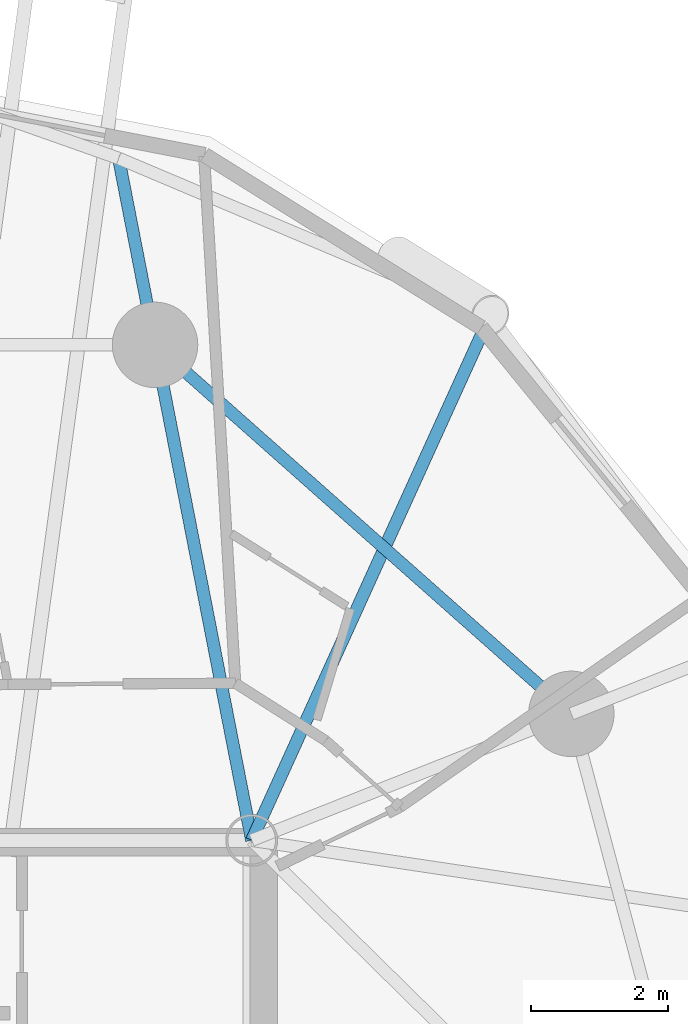
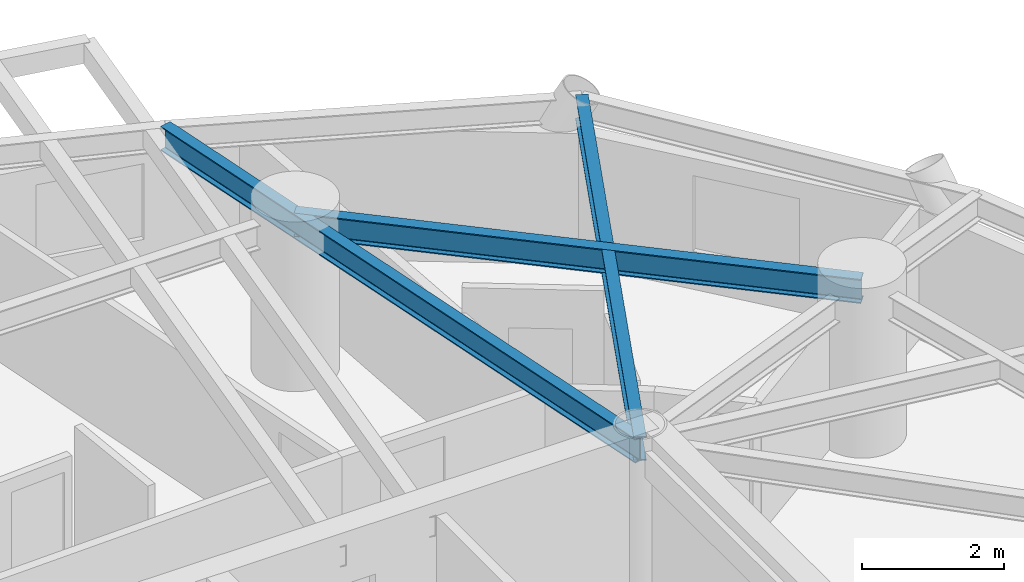
# One storey, part 4 of 18: 3 beams.
"""IFC4 building model written with IfcOpenShell, lengths in metres."""

from ifc_helpers import new_model, si_unit, direction, frame, origin, origin_2d, place, context, subcontext, project, spatial, i_section, extrude, material, material_profile, profile_set, type_object, element, save


model = new_model("IFC4")

# Units and contexts
model_context = context("Model", 3, precision=1e-05, world=origin(), true_north=direction((0.0, 1.0)))
body_context = subcontext(model_context, "Body", "Model", "MODEL_VIEW")
ifc_project = project(units=[si_unit("LENGTHUNIT", "METRE"), si_unit("AREAUNIT", "SQUARE_METRE"), si_unit("VOLUMEUNIT", "CUBIC_METRE"), si_unit("PLANEANGLEUNIT", "RADIAN"), si_unit("MASSUNIT", "GRAM", prefix="KILO")], contexts=[model_context])

# Site, building, storey
site_placement = place(None, origin())
site = spatial("IfcSite", under=ifc_project, at=site_placement, CompositionType="ELEMENT")
building_placement = place(site_placement, origin())
building = spatial("IfcBuilding", under=site, at=building_placement, Name="Cununo Teusaquillo Station Towers", CompositionType="ELEMENT")
storey_placement = place(building_placement, frame((0.0, 0.0, 157.419921875)))
storey = spatial("IfcBuildingStorey", under=building, at=storey_placement, Name="L49", CompositionType="ELEMENT", Elevation=157.419921875)

# Beams
ifc_material_1 = material(Name="Steel ASTM A572 Grade 50", Category="steel")
ifc_material_profile_1 = material_profile(ifc_material_1, i_section(OverallWidth=0.180908203125, OverallDepth=0.4169921875, WebThickness=0.010986328125, FlangeThickness=0.018310546875, FilletRadius=0.012939453125, at=origin_2d()), Name="W16X57")
ifc_profile_set_1 = profile_set([ifc_material_profile_1], Name="Steel ASTM A572 Grade 50")
beam_type_1 = type_object("IfcBeamType", Name="BM-JOIST-1", PredefinedType="JOIST", material=ifc_profile_set_1)
beam_1_placement = place(storey_placement, frame((21.675048828125, 31.3798828125, 2.481689453125), z_axis=(0.413558514621, 0.910477542274, 0.0), x_axis=(-0.910477542274, 0.413558514621, 0.0)))
element("IfcBeam", 1, at=beam_1_placement, inside=storey, type_object=beam_type_1, Name="L49 Tower A Radial Spandrel Joist V03", PredefinedType="JOIST", context=body_context, shape_type="SweptSolid", body=[
    extrude(i_section(OverallWidth=0.180908203125, OverallDepth=0.4169921875, WebThickness=0.010986328125, FlangeThickness=0.018310546875, FilletRadius=0.012939453125, at=origin_2d()), origin(), (0.0, 0.0, 1.0), 8.428955078125),
])
ifc_material_2 = material(Name="Steel ASTM A572 Grade 50", Category="steel")
ifc_material_profile_2 = material_profile(ifc_material_2, i_section(OverallWidth=0.180908203125, OverallDepth=0.4169921875, WebThickness=0.010986328125, FlangeThickness=0.018310546875, FilletRadius=0.012939453125, at=origin_2d()), Name="W16X57")
ifc_profile_set_2 = profile_set([ifc_material_profile_2], Name="Steel ASTM A572 Grade 50")
beam_type_2 = type_object("IfcBeamType", Name="BM-RAD-G2", PredefinedType="BEAM", material=ifc_profile_set_2)
beam_2_placement = place(storey_placement, frame((21.675048828125, 31.3798828125, 2.481689453125), z_axis=(-0.191552706487, 0.981482328235, 0.0), x_axis=(-0.981482328235, -0.191552706487, 0.0)))
element("IfcBeam", 2, at=beam_2_placement, inside=storey, type_object=beam_type_2, Name="L49 Tower A Continuous Overhanging Radial Girder 03", PredefinedType="BEAM", context=body_context, shape_type="SweptSolid", body=[
    extrude(i_section(OverallWidth=0.180908203125, OverallDepth=0.4169921875, WebThickness=0.010986328125, FlangeThickness=0.018310546875, FilletRadius=0.012939453125, at=origin_2d()), origin(), (0.0, 0.0, 1.0), 10.159423828125),
])
ifc_material_3 = material(Name="Steel ASTM A572 Grade 50", Category="steel")
ifc_material_profile_3 = material_profile(ifc_material_3, i_section(OverallWidth=0.180908203125, OverallDepth=0.4169921875, WebThickness=0.010986328125, FlangeThickness=0.018310546875, FilletRadius=0.012939453125, at=origin_2d()), Name="W16X57")
ifc_profile_set_3 = profile_set([ifc_material_profile_3], Name="Steel ASTM A572 Grade 50")
beam_type_3 = type_object("IfcBeamType", Name="BM-RING-Z3", PredefinedType="SPANDREL", material=ifc_profile_set_3)
beam_3_placement = place(storey_placement, frame((26.347412109375, 33.228515625, 2.481689453125), z_axis=(-0.74832120039, 0.66333655187, 0.0), x_axis=(-0.66333655187, -0.74832120039, 0.0)))
element("IfcBeam", 3, at=beam_3_placement, inside=storey, type_object=beam_type_3, Name="L49 Tower A Structural Column Ring Girder 02", PredefinedType="SPANDREL", context=body_context, shape_type="SweptSolid", body=[
    extrude(i_section(OverallWidth=0.180908203125, OverallDepth=0.4169921875, WebThickness=0.010986328125, FlangeThickness=0.018310546875, FilletRadius=0.012939453125, at=origin_2d()), origin(), (0.0, 0.0, 1.0), 8.1328125),
])

save(model, "model.ifc")
